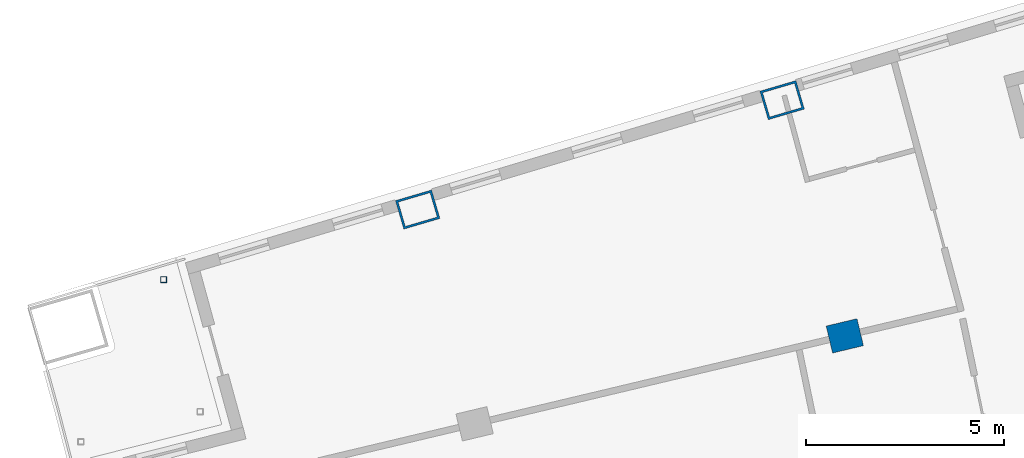
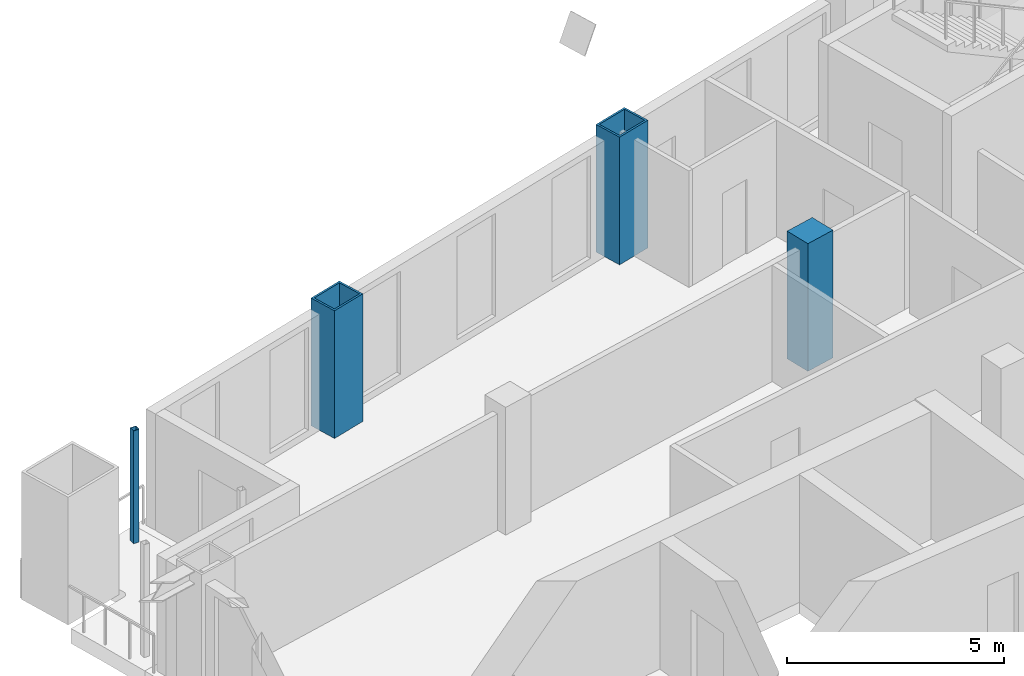
# One storey, part 7 of 19: 4 columns.
"""IFC4 building model written with IfcOpenShell, lengths in metres."""

from ifc_helpers import new_model, si_unit, direction, frame, origin, origin_2d, place, context, subcontext, project, spatial, rectangle, hollow_rectangle, extrude, material, material_profile, profile_set, type_object, element, save


model = new_model("IFC4")

# Units and contexts
model_context = context("Model", 3, precision=1e-05, world=origin(), true_north=direction((0.0, 1.0)))
body_context = subcontext(model_context, "Body", "Model", "MODEL_VIEW")
ifc_project = project(units=[si_unit("LENGTHUNIT", "METRE"), si_unit("AREAUNIT", "SQUARE_METRE"), si_unit("VOLUMEUNIT", "CUBIC_METRE"), si_unit("PLANEANGLEUNIT", "RADIAN"), si_unit("MASSUNIT", "GRAM", prefix="KILO")], contexts=[model_context])

# Site, building, storey
site_placement = place(None, origin())
site = spatial("IfcSite", under=ifc_project, at=site_placement, CompositionType="ELEMENT")
building_placement = place(site_placement, origin())
building = spatial("IfcBuilding", under=site, at=building_placement, Name="Alderwake Tower", CompositionType="ELEMENT")
storey_placement = place(building_placement, frame((0.0, 0.0, 196.39990234375)))
storey = spatial("IfcBuildingStorey", under=building, at=storey_placement, Name="L48", CompositionType="ELEMENT", Elevation=196.39990234375)

# Columns
ifc_material_1 = material(Name="Steel ASTM A572 Grade 50 concrete filled C70/85", Category="concrete")
ifc_material_profile_1 = material_profile(ifc_material_1, hollow_rectangle(XDim=0.75, YDim=0.949951171875, WallThickness=0.054931640625, at=origin_2d()), Name="BOX 950X750X55")
ifc_profile_set_1 = profile_set([ifc_material_profile_1], Name="Steel ASTM A572 Grade 50 concrete filled C70/85")
column_type_1 = type_object("IfcColumnType", Name="End column Z4", PredefinedType="COLUMN", material=ifc_profile_set_1)
for number, where, z_axis, x_axis, name in (
    (1, (21.885498046875, 90.96240234375, 0.0), (0.0, 0.0, 1.0), (-0.282132160283, 0.95937554906, 0.0), "Column R12-C1"),
    (2, (31.080322265625, 93.72314453125, 0.0), (0.0, 0.0, 1.0), (-0.282582549822, 0.959242984095, 0.0), "Column R12-C2"),
):
    element("IfcColumn", number, at=place(storey_placement, frame(where, z_axis=z_axis, x_axis=x_axis)), inside=storey, type_object=column_type_1, Name=name, PredefinedType="COLUMN", context=body_context, shape_type="SweptSolid", body=[
        extrude(hollow_rectangle(XDim=0.75, YDim=0.949951171875, WallThickness=0.054931640625, at=origin_2d()), origin(), (0.0, 0.0, 1.0), 3.60009765625),
    ])
ifc_material_2 = material(Name="Concrete C70/85", Category="concrete")
ifc_material_profile_2 = material_profile(ifc_material_2, rectangle(XDim=0.699951171875, YDim=0.800048828125, at=origin_2d()), Name="RC 800X700")
ifc_profile_set_2 = profile_set([ifc_material_profile_2], Name="Concrete C70/85")
column_type_2 = type_object("IfcColumnType", Name="Interior column Z4", PredefinedType="COLUMN", material=ifc_profile_set_2)
column_1_placement = place(storey_placement, frame((32.661865234375, 87.775390625, 0.0), z_axis=(0.0, 0.0, 1.0), x_axis=(-0.231221547198, 0.972901123502, 0.0)))
element("IfcColumn", 3, at=column_1_placement, inside=storey, type_object=column_type_2, Name="Column R11-C2", PredefinedType="COLUMN", context=body_context, shape_type="SweptSolid", body=[
    extrude(rectangle(XDim=0.699951171875, YDim=0.800048828125, at=origin_2d()), origin(), (0.0, 0.0, 1.0), 3.60009765625),
])
ifc_material_3 = material(Name="Steel ASTM A500 Grade C", Category="steel")
ifc_material_profile_3 = material_profile(ifc_material_3, hollow_rectangle(XDim=0.15234375, YDim=0.15234375, WallThickness=0.0087890625, at=origin_2d()), Name="HSS6X6X3/8")
ifc_profile_set_3 = profile_set([ifc_material_profile_3], Name="Steel ASTM A500 Grade C")
column_type_3 = type_object("IfcColumnType", Name="Light post HSS6X6X3/8", PredefinedType="COLUMN", material=ifc_profile_set_3)
column_2_placement = place(storey_placement, frame((15.47412109375, 89.194091796875, 0.0), z_axis=(0.0, 0.0, 1.0), x_axis=(1.0, 0.0, 0.0)))
element("IfcColumn", 4, at=column_2_placement, inside=storey, type_object=column_type_3, Name="Terrace post RN2", PredefinedType="COLUMN", context=body_context, shape_type="SweptSolid", body=[
    extrude(hollow_rectangle(XDim=0.15234375, YDim=0.15234375, WallThickness=0.0087890625, at=origin_2d()), origin(), (0.0, 0.0, 1.0), 3.18017578125),
])

save(model, "model.ifc")
